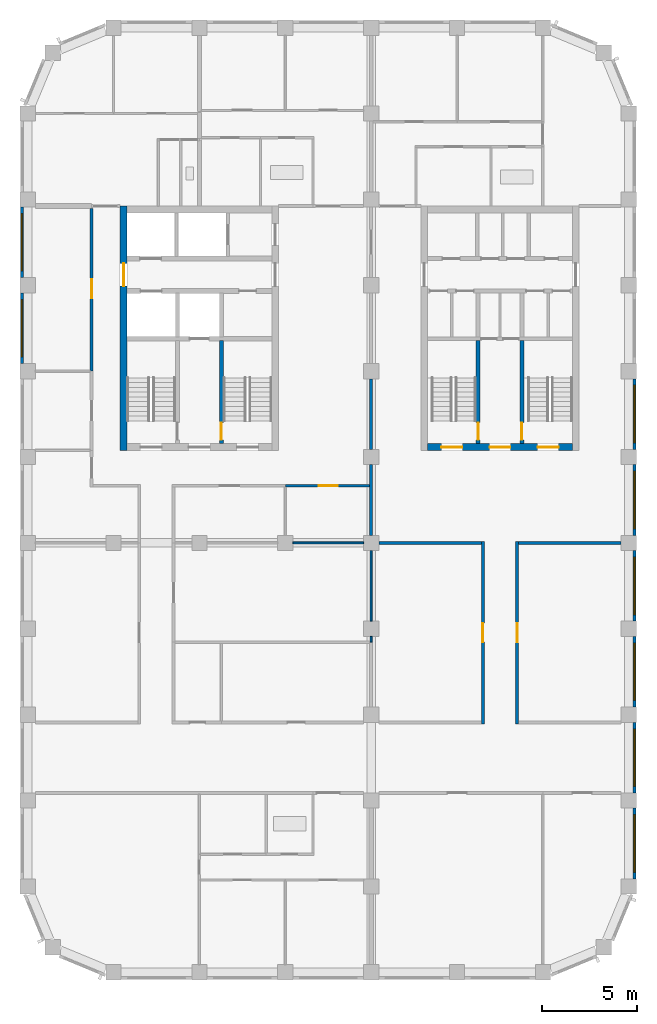
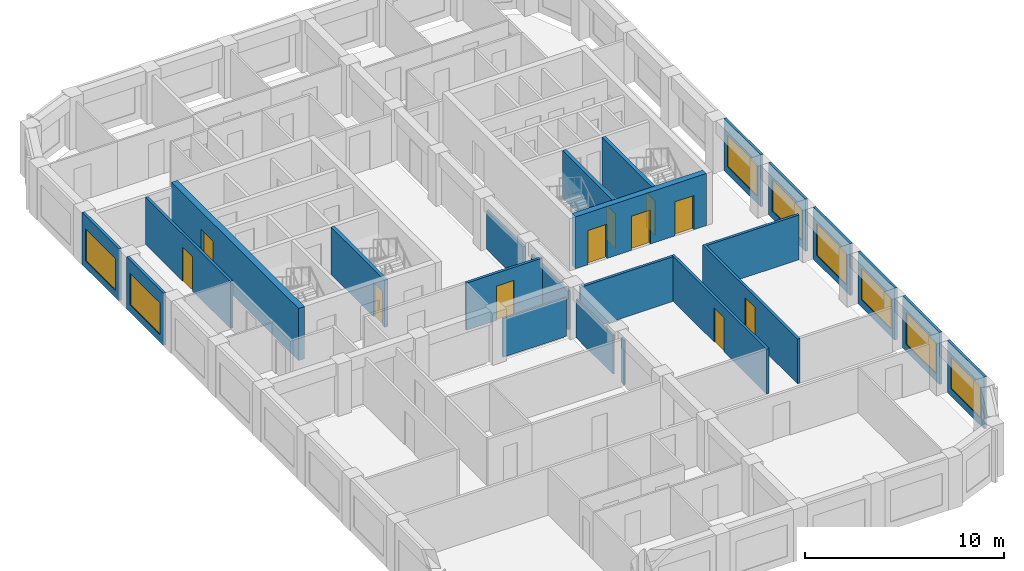
# One storey, part 4 of 10: 24 walls, 11 doors, 8 windows, 19 openings.
"""IFC4 building model written with IfcOpenShell, lengths in metres."""

from ifc_helpers import new_model, si_unit, direction, frame, frame_2d, origin, place, context, subcontext, project, spatial, rectangle, extrude, material, layer, layer_set, type_object, element, fill, save


model = new_model("IFC4")

# Units and contexts
model_context = context("Model", 3, precision=1e-05, world=origin(), true_north=direction((0.0, 1.0)))
body_context = subcontext(model_context, "Body", "Model", "MODEL_VIEW")
ifc_project = project(units=[si_unit("LENGTHUNIT", "METRE"), si_unit("AREAUNIT", "SQUARE_METRE"), si_unit("VOLUMEUNIT", "CUBIC_METRE"), si_unit("PLANEANGLEUNIT", "RADIAN"), si_unit("MASSUNIT", "GRAM", prefix="KILO")], contexts=[model_context])

# Site, building, storey
site_placement = place(None, origin())
site = spatial("IfcSite", under=ifc_project, at=site_placement, CompositionType="ELEMENT")
building_placement = place(site_placement, origin())
building = spatial("IfcBuilding", under=site, at=building_placement, Name="Girih Gate Residences", CompositionType="ELEMENT")
storey_placement = place(building_placement, frame((0.0, 0.0, 210.094970703125)))
storey = spatial("IfcBuildingStorey", under=building, at=storey_placement, Name="L58", CompositionType="ELEMENT", Elevation=210.094970703125)

# Walls
ifc_material_1 = material(Name="Gypsum board on steel studs", Category="steel")
ifc_layer_1 = layer(ifc_material_1, 0.14990234375)
ifc_layer_set_1 = layer_set([ifc_layer_1], Name="Compartment wall 150 mm")
wall_type_1 = type_object("IfcWallType", Name="Compartment wall 150 mm", PredefinedType="PARTITIONING", material=ifc_layer_set_1)
for number, where, z_axis, x_axis, name in (
    (1, (18.39990234375, 22.5, 0.0), (0.0, 0.0, 1.0), (1.0, 0.0, 0.0), "L58 partition"),
    (2, (25.72509765625, 22.5, 0.0), (0.0, 0.0, 1.0), (1.0, 0.0, 0.0), "L58 partition"),
):
    element("IfcWall", number, at=place(storey_placement, frame(where, z_axis=z_axis, x_axis=x_axis)), inside=storey, type_object=wall_type_1, Name=name, PredefinedType="PARTITIONING", context=body_context, shape_type="SweptSolid", body=[
        extrude(rectangle(XDim=5.375, YDim=0.14990234375, at=frame_2d((2.6875, 0.0))), origin(), (0.0, 0.0, 1.0), 2.75),
    ])
for number, where, z_axis, x_axis, name in (
    (3, (18.0, 27.39990234375, 0.0), (0.0, 0.0, 1.0), (0.0, 1.0, 0.0), "L58 partition"),
    (4, (18.0, 22.89990234375, 0.0), (0.0, 0.0, 1.0), (0.0, 1.0, 0.0), "L58 partition"),
):
    element("IfcWall", number, at=place(storey_placement, frame(where, z_axis=z_axis, x_axis=x_axis)), inside=storey, type_object=wall_type_1, Name=name, PredefinedType="PARTITIONING", context=body_context, shape_type="SweptSolid", body=[
        extrude(rectangle(XDim=3.7001953125, YDim=0.14990234375, at=frame_2d((1.85009765625, 0.0))), origin(), (0.0, 0.0, 1.0), 2.380126953125),
    ])

# Wall, opening, door
wall_1_placement = place(storey_placement, frame((23.85009765625, 13.02490234375, 0.0), z_axis=(0.0, 0.0, 1.0), x_axis=(0.0, 1.0, 0.0)))
wall_1 = element("IfcWall", 5, at=wall_1_placement, inside=storey, type_object=wall_type_1, Name="L58 partition", PredefinedType="PARTITIONING", context=body_context, shape_type="SweptSolid", body=[
    extrude(rectangle(XDim=9.550048828125, YDim=0.14990234375, at=frame_2d((4.77490234375, 0.0))), origin(), (0.0, 0.0, 1.0), 2.75),
])
opening_1_placement = place(wall_1_placement, frame((4.27490234375, 0.0, 0.0)))
opening_1 = element("IfcOpeningElement", 6, at=opening_1_placement, cuts=wall_1, Name="Opening A58-027", PredefinedType="OPENING", context=body_context, shape_type="SweptSolid", body=[
    extrude(rectangle(XDim=1.0, YDim=2.10009765625, at=frame_2d((0.5, 1.050048828125))), frame((0.0, 0.0849609375, 0.0), z_axis=(0.0, -1.0, 0.0), x_axis=(1.0, 0.0, 0.0)), (0.0, 0.0, 1.0), 0.169921875),
])
ifc_material_2 = material(Name="Timber, fire-rated core", Category="wood")
door_type_1 = type_object("IfcDoorType", Name="Amenity room door 1000x2100 FD30S", OperationType="NOTDEFINED", PredefinedType="DOOR", material=ifc_material_2)
door_1_placement = place(opening_1_placement, origin())
door_1 = element("IfcDoor", 7, at=door_1_placement, inside=storey, type_object=door_type_1, Name="Door A58-027", OperationType="SINGLE_SWING_RIGHT", OverallHeight=2.10009765625, OverallWidth=1.0, PredefinedType="DOOR", context=body_context, shape_type="SweptSolid", body=[
    extrude(rectangle(XDim=1.0, YDim=2.10009765625, at=frame_2d((0.5, 1.050048828125))), frame((0.0, 0.02490234375, 0.0), z_axis=(0.0, -1.0, 0.0), x_axis=(1.0, 0.0, 0.0)), (0.0, 0.0, 1.0), 0.050048828125),
])
fill(opening_1, door_1)

wall_2_placement = place(storey_placement, frame((25.64990234375, 22.574951171875, 0.0), z_axis=(0.0, 0.0, 1.0), x_axis=(0.0, -1.0, 0.0)))
wall_2 = element("IfcWall", 8, at=wall_2_placement, inside=storey, type_object=wall_type_1, Name="L58 partition", PredefinedType="PARTITIONING", context=body_context, shape_type="SweptSolid", body=[
    extrude(rectangle(XDim=9.550048828125, YDim=0.14990234375, at=frame_2d((4.77490234375, 0.0))), origin(), (0.0, 0.0, 1.0), 2.75),
])
opening_2_placement = place(wall_2_placement, frame((4.27490234375, 0.0, 0.0)))
opening_2 = element("IfcOpeningElement", 9, at=opening_2_placement, cuts=wall_2, Name="Opening A58-028", PredefinedType="OPENING", context=body_context, shape_type="SweptSolid", body=[
    extrude(rectangle(XDim=1.0, YDim=2.10009765625, at=frame_2d((0.5, 1.050048828125))), frame((0.0, 0.0849609375, 0.0), z_axis=(0.0, -1.0, 0.0), x_axis=(1.0, 0.0, 0.0)), (0.0, 0.0, 1.0), 0.169921875),
])
door_2_placement = place(opening_2_placement, origin())
door_2 = element("IfcDoor", 10, at=door_2_placement, inside=storey, type_object=door_type_1, Name="Door A58-028", OperationType="SINGLE_SWING_LEFT", OverallHeight=2.10009765625, OverallWidth=1.0, PredefinedType="DOOR", context=body_context, shape_type="SweptSolid", body=[
    extrude(rectangle(XDim=1.0, YDim=2.10009765625, at=frame_2d((0.5, 1.050048828125))), frame((0.0, 0.02490234375, 0.0), z_axis=(0.0, -1.0, 0.0), x_axis=(1.0, 0.0, 0.0)), (0.0, 0.0, 1.0), 0.050048828125),
])
fill(opening_2, door_2)

wall_3_placement = place(storey_placement, frame((17.925048828125, 25.5, 0.0), z_axis=(0.0, 0.0, 1.0), x_axis=(-1.0, 0.0, 0.0)))
wall_3 = element("IfcWall", 11, at=wall_3_placement, inside=storey, type_object=wall_type_1, Name="L58 partition", PredefinedType="PARTITIONING", context=body_context, shape_type="SweptSolid", body=[
    extrude(rectangle(XDim=4.425048828125, YDim=0.14990234375, at=frame_2d((2.21240234375, 0.0))), origin(), (0.0, 0.0, 1.0), 2.900146484375),
])
opening_3_placement = place(wall_3_placement, frame((1.675048828125, 0.0, 0.0)))
opening_3 = element("IfcOpeningElement", 12, at=opening_3_placement, cuts=wall_3, Name="Opening A58-033", PredefinedType="OPENING", context=body_context, shape_type="SweptSolid", body=[
    extrude(rectangle(XDim=1.0, YDim=2.10009765625, at=frame_2d((0.5, 1.050048828125))), frame((0.0, 0.0849609375, 0.0), z_axis=(0.0, -1.0, 0.0), x_axis=(1.0, 0.0, 0.0)), (0.0, 0.0, 1.0), 0.169921875),
])
door_3_placement = place(opening_3_placement, origin())
door_3 = element("IfcDoor", 13, at=door_3_placement, inside=storey, type_object=door_type_1, Name="Door A58-033", OperationType="SINGLE_SWING_LEFT", OverallHeight=2.10009765625, OverallWidth=1.0, PredefinedType="DOOR", context=body_context, shape_type="SweptSolid", body=[
    extrude(rectangle(XDim=1.0, YDim=2.10009765625, at=frame_2d((0.5, 1.050048828125))), frame((0.0, 0.02490234375, 0.0), z_axis=(0.0, -1.0, 0.0), x_axis=(1.0, 0.0, 0.0)), (0.0, 0.0, 1.0), 0.050048828125),
])
fill(opening_3, door_3)

wall_4_placement = place(storey_placement, frame((3.35009765625, 31.5, 0.0), z_axis=(0.0, 0.0, 1.0), x_axis=(0.0, 1.0, 0.0)))
wall_4 = element("IfcWall", 14, at=wall_4_placement, inside=storey, type_object=wall_type_1, Name="L58 partition", PredefinedType="PARTITIONING", context=body_context, shape_type="SweptSolid", body=[
    extrude(rectangle(XDim=8.52490234375, YDim=0.14990234375, at=frame_2d((4.262451171875, 0.0))), origin(), (0.0, 0.0, 1.0), 2.900146484375),
])
opening_4_placement = place(wall_4_placement, frame((3.824951171875, 0.0, 0.0)))
opening_4 = element("IfcOpeningElement", 15, at=opening_4_placement, cuts=wall_4, Name="Opening A58-035", PredefinedType="OPENING", context=body_context, shape_type="SweptSolid", body=[
    extrude(rectangle(XDim=1.0, YDim=2.10009765625, at=frame_2d((0.5, 1.050048828125))), frame((0.0, 0.0849609375, 0.0), z_axis=(0.0, -1.0, 0.0), x_axis=(1.0, 0.0, 0.0)), (0.0, 0.0, 1.0), 0.169921875),
])
door_4_placement = place(opening_4_placement, origin())
door_4 = element("IfcDoor", 16, at=door_4_placement, inside=storey, type_object=door_type_1, Name="Door A58-035", OperationType="SINGLE_SWING_RIGHT", OverallHeight=2.10009765625, OverallWidth=1.0, PredefinedType="DOOR", context=body_context, shape_type="SweptSolid", body=[
    extrude(rectangle(XDim=1.0, YDim=2.10009765625, at=frame_2d((0.5, 1.050048828125))), frame((0.0, 0.02490234375, 0.0), z_axis=(0.0, -1.0, 0.0), x_axis=(1.0, 0.0, 0.0)), (0.0, 0.0, 1.0), 0.050048828125),
])
fill(opening_4, door_4)

ifc_material_3 = material(Name="Concrete C60/75", Category="concrete")
ifc_layer_2 = layer(ifc_material_3, 0.35009765625)
ifc_layer_set_2 = layer_set([ifc_layer_2], Name="Core wall RC 350 Concrete C60/75")
wall_type_2 = type_object("IfcWallType", Name="Core wall RC 350 Concrete C60/75", PredefinedType="SOLIDWALL", material=ifc_layer_set_2)
wall_5_placement = place(storey_placement, frame((5.02490234375, 27.35009765625, 0.0), z_axis=(0.0, 0.0, 1.0), x_axis=(0.0, 1.0, 0.0)))
wall_5 = element("IfcWall", 17, at=wall_5_placement, inside=storey, type_object=wall_type_2, Name="Core wall W-W L58", PredefinedType="SOLIDWALL", context=body_context, shape_type="SweptSolid", body=[
    extrude(rectangle(XDim=12.7998046875, YDim=0.35009765625, at=frame_2d((6.39990234375, 0.0))), origin(), (0.0, 0.0, 1.0), 3.199951171875),
])
opening_5_placement = place(wall_5_placement, frame((8.60009765625, 0.0, 0.0)))
opening_5 = element("IfcOpeningElement", 18, at=opening_5_placement, cuts=wall_5, Name="Opening D-L58-W-012", PredefinedType="OPENING", context=body_context, shape_type="SweptSolid", body=[
    extrude(rectangle(XDim=1.199951171875, YDim=2.10009765625, at=frame_2d((0.60009765625, 1.050048828125))), frame((0.0, 0.18505859375, 0.0), z_axis=(0.0, -1.0, 0.0), x_axis=(1.0, 0.0, 0.0)), (0.0, 0.0, 1.0), 0.3701171875),
])
ifc_material_4 = material(Name="Painted steel, fire-resisting", Category="steel")
door_type_2 = type_object("IfcDoorType", Name="Fire door 1200x2100", OperationType="SINGLE_SWING_LEFT", PredefinedType="DOOR", material=ifc_material_4)
door_5_placement = place(opening_5_placement, origin())
door_5 = element("IfcDoor", 19, at=door_5_placement, inside=storey, type_object=door_type_2, Name="L58 W core door ll-w", OperationType="SINGLE_SWING_LEFT", OverallHeight=2.10009765625, OverallWidth=1.199951171875, PredefinedType="DOOR", context=body_context, shape_type="SweptSolid", body=[
    extrude(rectangle(XDim=1.199951171875, YDim=2.10009765625, at=frame_2d((0.60009765625, 1.050048828125))), frame((0.0, 0.02490234375, 0.0), z_axis=(0.0, -1.0, 0.0), x_axis=(1.0, 0.0, 0.0)), (0.0, 0.0, 1.0), 0.050048828125),
])
fill(opening_5, door_5)

# Walls
ifc_layer_3 = layer(ifc_material_1, 0.10009765625)
ifc_layer_set_3 = layer_set([ifc_layer_3], Name="Partition 100 mm")
wall_type_3 = type_object("IfcWallType", Name="Partition 100 mm", PredefinedType="PARTITIONING", material=ifc_layer_set_3)
wall_6_placement = place(storey_placement, frame((18.0, 18.39990234375, 0.0), z_axis=(0.0, 0.0, 1.0), x_axis=(0.0, 1.0, 0.0)))
element("IfcWall", 20, at=wall_6_placement, inside=storey, type_object=wall_type_3, Name="L58 partition", PredefinedType="PARTITIONING", context=body_context, shape_type="SweptSolid", body=[
    extrude(rectangle(XDim=3.7001953125, YDim=0.10009765625, at=frame_2d((1.85009765625, 0.0))), origin(), (0.0, 0.0, 1.0), 2.380126953125),
])
wall_7_placement = place(storey_placement, frame((18.0, 17.300048828125, 0.0), z_axis=(0.0, 0.0, 1.0), x_axis=(0.0, 1.0, 0.0)))
element("IfcWall", 21, at=wall_7_placement, inside=storey, type_object=wall_type_3, Name="L58 partition", PredefinedType="PARTITIONING", context=body_context, shape_type="SweptSolid", body=[
    extrude(rectangle(XDim=0.300048828125, YDim=0.10009765625, at=frame_2d((0.14990234375, 0.0))), origin(), (0.0, 0.0, 1.0), 2.75),
])
wall_8_placement = place(storey_placement, frame((13.89990234375, 22.5, 0.0), z_axis=(0.0, 0.0, 1.0), x_axis=(1.0, 0.0, 0.0)))
element("IfcWall", 22, at=wall_8_placement, inside=storey, type_object=wall_type_3, Name="L58 partition", PredefinedType="PARTITIONING", context=body_context, shape_type="SweptSolid", body=[
    extrude(rectangle(XDim=3.7001953125, YDim=0.10009765625, at=frame_2d((1.85009765625, 0.0))), origin(), (0.0, 0.0, 1.0), 2.380126953125),
])

# Wall, opening, window
ifc_material_5 = material(Name="Precast concrete C50/60", Category="concrete")
ifc_layer_4 = layer(ifc_material_5, 0.050048828125, Name="Outer leaf")
ifc_material_6 = material(Name="Rigid PIR insulation")
ifc_layer_5 = layer(ifc_material_6, 0.06005859375, Name="Insulation")
ifc_material_7 = material(Name="Precast concrete C40/50", Category="concrete")
ifc_layer_6 = layer(ifc_material_7, 0.0400390625, Name="Inner leaf")
ifc_layer_set_4 = layer_set([ifc_layer_4, ifc_layer_5, ifc_layer_6], Name="Precast concrete C50/60 external wall 150")
wall_type_4 = type_object("IfcWallType", Name="Precast concrete C50/60 external wall 150", PredefinedType="SOLIDWALL", material=ifc_layer_set_4)
wall_9_placement = place(storey_placement, frame((31.800048828125, 8.60009765625, 0.0), z_axis=(0.0, 0.0, 1.0), x_axis=(0.0, -1.0, 0.0)))
wall_9 = element("IfcWall", 23, at=wall_9_placement, inside=storey, type_object=wall_type_4, Name="External wall E0315_0045.0", PredefinedType="SOLIDWALL", context=body_context, shape_type="SweptSolid", body=[
    extrude(rectangle(XDim=3.7001953125, YDim=0.14990234375, at=frame_2d((1.85009765625, 0.0))), origin(), (0.0, 0.0, 1.0), 3.199951171875),
])
opening_6_placement = place(wall_9_placement, frame((0.35009765625, 0.0, 0.449951171875)))
opening_6 = element("IfcOpeningElement", 24, at=opening_6_placement, cuts=wall_9, Name="Opening W-1D", PredefinedType="OPENING", context=body_context, shape_type="SweptSolid", body=[
    extrude(rectangle(XDim=3.0, YDim=1.949951171875, at=frame_2d((1.5, 0.97509765625))), frame((0.0, 0.0849609375, 0.0), z_axis=(0.0, -1.0, 0.0), x_axis=(1.0, 0.0, 0.0)), (0.0, 0.0, 1.0), 0.169921875),
])
ifc_material_8 = material(Name="Double glazing in aluminium frame", Category="aluminium")
window_type = type_object("IfcWindowType", Name="Window W-1D 3000x1950", PartitioningType="SINGLE_PANEL", PredefinedType="WINDOW", material=ifc_material_8)
window_1_placement = place(opening_6_placement, origin())
window_1 = element("IfcWindow", 25, at=window_1_placement, inside=storey, type_object=window_type, Name="Window W-1D E0315_0045.0", OverallHeight=1.949951171875, OverallWidth=3.0, PartitioningType="SINGLE_PANEL", PredefinedType="WINDOW", context=body_context, shape_type="SweptSolid", body=[
    extrude(rectangle(XDim=3.0, YDim=1.949951171875, at=frame_2d((1.5, 0.97509765625))), frame((0.0, 0.030029296875, 0.0), z_axis=(0.0, -1.0, 0.0), x_axis=(1.0, 0.0, 0.0)), (0.0, 0.0, 1.0), 0.06005859375),
])
fill(opening_6, window_1)

wall_10_placement = place(storey_placement, frame((31.800048828125, 13.10009765625, 0.0), z_axis=(0.0, 0.0, 1.0), x_axis=(0.0, -1.0, 0.0)))
wall_10 = element("IfcWall", 26, at=wall_10_placement, inside=storey, type_object=wall_type_4, Name="External wall E0315_0045.1", PredefinedType="SOLIDWALL", context=body_context, shape_type="SweptSolid", body=[
    extrude(rectangle(XDim=3.7001953125, YDim=0.14990234375, at=frame_2d((1.85009765625, 0.0))), origin(), (0.0, 0.0, 1.0), 3.199951171875),
])
opening_7_placement = place(wall_10_placement, frame((0.35009765625, 0.0, 0.449951171875)))
opening_7 = element("IfcOpeningElement", 27, at=opening_7_placement, cuts=wall_10, Name="Opening W-1D", PredefinedType="OPENING", context=body_context, shape_type="SweptSolid", body=[
    extrude(rectangle(XDim=3.0, YDim=1.949951171875, at=frame_2d((1.5, 0.97509765625))), frame((0.0, 0.0849609375, 0.0), z_axis=(0.0, -1.0, 0.0), x_axis=(1.0, 0.0, 0.0)), (0.0, 0.0, 1.0), 0.169921875),
])
window_2_placement = place(opening_7_placement, origin())
window_2 = element("IfcWindow", 28, at=window_2_placement, inside=storey, type_object=window_type, Name="Window W-1D E0315_0045.1", OverallHeight=1.949951171875, OverallWidth=3.0, PartitioningType="SINGLE_PANEL", PredefinedType="WINDOW", context=body_context, shape_type="SweptSolid", body=[
    extrude(rectangle(XDim=3.0, YDim=1.949951171875, at=frame_2d((1.5, 0.97509765625))), frame((0.0, 0.030029296875, 0.0), z_axis=(0.0, -1.0, 0.0), x_axis=(1.0, 0.0, 0.0)), (0.0, 0.0, 1.0), 0.06005859375),
])
fill(opening_7, window_2)

wall_11_placement = place(storey_placement, frame((31.800048828125, 17.60009765625, 0.0), z_axis=(0.0, 0.0, 1.0), x_axis=(0.0, -1.0, 0.0)))
wall_11 = element("IfcWall", 29, at=wall_11_placement, inside=storey, type_object=wall_type_4, Name="External wall E0315_0045.2", PredefinedType="SOLIDWALL", context=body_context, shape_type="SweptSolid", body=[
    extrude(rectangle(XDim=3.7001953125, YDim=0.14990234375, at=frame_2d((1.85009765625, 0.0))), origin(), (0.0, 0.0, 1.0), 3.199951171875),
])
opening_8_placement = place(wall_11_placement, frame((0.35009765625, 0.0, 0.449951171875)))
opening_8 = element("IfcOpeningElement", 30, at=opening_8_placement, cuts=wall_11, Name="Opening W-1D", PredefinedType="OPENING", context=body_context, shape_type="SweptSolid", body=[
    extrude(rectangle(XDim=3.0, YDim=1.949951171875, at=frame_2d((1.5, 0.97509765625))), frame((0.0, 0.0849609375, 0.0), z_axis=(0.0, -1.0, 0.0), x_axis=(1.0, 0.0, 0.0)), (0.0, 0.0, 1.0), 0.169921875),
])
window_3_placement = place(opening_8_placement, origin())
window_3 = element("IfcWindow", 31, at=window_3_placement, inside=storey, type_object=window_type, Name="Window W-1D E0315_0045.2", OverallHeight=1.949951171875, OverallWidth=3.0, PartitioningType="SINGLE_PANEL", PredefinedType="WINDOW", context=body_context, shape_type="SweptSolid", body=[
    extrude(rectangle(XDim=3.0, YDim=1.949951171875, at=frame_2d((1.5, 0.97509765625))), frame((0.0, 0.030029296875, 0.0), z_axis=(0.0, -1.0, 0.0), x_axis=(1.0, 0.0, 0.0)), (0.0, 0.0, 1.0), 0.06005859375),
])
fill(opening_8, window_3)

wall_12_placement = place(storey_placement, frame((31.800048828125, 22.10009765625, 0.0), z_axis=(0.0, 0.0, 1.0), x_axis=(0.0, -1.0, 0.0)))
wall_12 = element("IfcWall", 32, at=wall_12_placement, inside=storey, type_object=wall_type_4, Name="External wall E0315_0045.3", PredefinedType="SOLIDWALL", context=body_context, shape_type="SweptSolid", body=[
    extrude(rectangle(XDim=3.7001953125, YDim=0.14990234375, at=frame_2d((1.85009765625, 0.0))), origin(), (0.0, 0.0, 1.0), 3.199951171875),
])
opening_9_placement = place(wall_12_placement, frame((0.35009765625, 0.0, 0.449951171875)))
opening_9 = element("IfcOpeningElement", 33, at=opening_9_placement, cuts=wall_12, Name="Opening W-1D", PredefinedType="OPENING", context=body_context, shape_type="SweptSolid", body=[
    extrude(rectangle(XDim=3.0, YDim=1.949951171875, at=frame_2d((1.5, 0.97509765625))), frame((0.0, 0.0849609375, 0.0), z_axis=(0.0, -1.0, 0.0), x_axis=(1.0, 0.0, 0.0)), (0.0, 0.0, 1.0), 0.169921875),
])
window_4_placement = place(opening_9_placement, origin())
window_4 = element("IfcWindow", 34, at=window_4_placement, inside=storey, type_object=window_type, Name="Window W-1D E0315_0045.3", OverallHeight=1.949951171875, OverallWidth=3.0, PartitioningType="SINGLE_PANEL", PredefinedType="WINDOW", context=body_context, shape_type="SweptSolid", body=[
    extrude(rectangle(XDim=3.0, YDim=1.949951171875, at=frame_2d((1.5, 0.97509765625))), frame((0.0, 0.030029296875, 0.0), z_axis=(0.0, -1.0, 0.0), x_axis=(1.0, 0.0, 0.0)), (0.0, 0.0, 1.0), 0.06005859375),
])
fill(opening_9, window_4)

wall_13_placement = place(storey_placement, frame((31.800048828125, 26.60009765625, 0.0), z_axis=(0.0, 0.0, 1.0), x_axis=(0.0, -1.0, 0.0)))
wall_13 = element("IfcWall", 35, at=wall_13_placement, inside=storey, type_object=wall_type_4, Name="External wall E0315_0045.4", PredefinedType="SOLIDWALL", context=body_context, shape_type="SweptSolid", body=[
    extrude(rectangle(XDim=3.7001953125, YDim=0.14990234375, at=frame_2d((1.85009765625, 0.0))), origin(), (0.0, 0.0, 1.0), 3.199951171875),
])
opening_10_placement = place(wall_13_placement, frame((0.35009765625, 0.0, 0.449951171875)))
opening_10 = element("IfcOpeningElement", 36, at=opening_10_placement, cuts=wall_13, Name="Opening W-1D", PredefinedType="OPENING", context=body_context, shape_type="SweptSolid", body=[
    extrude(rectangle(XDim=3.0, YDim=1.949951171875, at=frame_2d((1.5, 0.97509765625))), frame((0.0, 0.0849609375, 0.0), z_axis=(0.0, -1.0, 0.0), x_axis=(1.0, 0.0, 0.0)), (0.0, 0.0, 1.0), 0.169921875),
])
window_5_placement = place(opening_10_placement, origin())
window_5 = element("IfcWindow", 37, at=window_5_placement, inside=storey, type_object=window_type, Name="Window W-1D E0315_0045.4", OverallHeight=1.949951171875, OverallWidth=3.0, PartitioningType="SINGLE_PANEL", PredefinedType="WINDOW", context=body_context, shape_type="SweptSolid", body=[
    extrude(rectangle(XDim=3.0, YDim=1.949951171875, at=frame_2d((1.5, 0.97509765625))), frame((0.0, 0.030029296875, 0.0), z_axis=(0.0, -1.0, 0.0), x_axis=(1.0, 0.0, 0.0)), (0.0, 0.0, 1.0), 0.06005859375),
])
fill(opening_10, window_5)

wall_14_placement = place(storey_placement, frame((31.800048828125, 31.10009765625, 0.0), z_axis=(0.0, 0.0, 1.0), x_axis=(0.0, -1.0, 0.0)))
wall_14 = element("IfcWall", 38, at=wall_14_placement, inside=storey, type_object=wall_type_4, Name="External wall E0315_0045.5", PredefinedType="SOLIDWALL", context=body_context, shape_type="SweptSolid", body=[
    extrude(rectangle(XDim=3.7001953125, YDim=0.14990234375, at=frame_2d((1.85009765625, 0.0))), origin(), (0.0, 0.0, 1.0), 3.199951171875),
])
opening_11_placement = place(wall_14_placement, frame((0.35009765625, 0.0, 0.449951171875)))
opening_11 = element("IfcOpeningElement", 39, at=opening_11_placement, cuts=wall_14, Name="Opening W-1D", PredefinedType="OPENING", context=body_context, shape_type="SweptSolid", body=[
    extrude(rectangle(XDim=3.0, YDim=1.949951171875, at=frame_2d((1.5, 0.97509765625))), frame((0.0, 0.0849609375, 0.0), z_axis=(0.0, -1.0, 0.0), x_axis=(1.0, 0.0, 0.0)), (0.0, 0.0, 1.0), 0.169921875),
])
window_6_placement = place(opening_11_placement, origin())
window_6 = element("IfcWindow", 40, at=window_6_placement, inside=storey, type_object=window_type, Name="Window W-1D E0315_0045.5", OverallHeight=1.949951171875, OverallWidth=3.0, PartitioningType="SINGLE_PANEL", PredefinedType="WINDOW", context=body_context, shape_type="SweptSolid", body=[
    extrude(rectangle(XDim=3.0, YDim=1.949951171875, at=frame_2d((1.5, 0.97509765625))), frame((0.0, 0.030029296875, 0.0), z_axis=(0.0, -1.0, 0.0), x_axis=(1.0, 0.0, 0.0)), (0.0, 0.0, 1.0), 0.06005859375),
])
fill(opening_11, window_6)

wall_15_placement = place(storey_placement, frame((-0.300048828125, 36.39990234375, 0.0), z_axis=(0.0, 0.0, 1.0), x_axis=(0.0, 1.0, 0.0)))
wall_15 = element("IfcWall", 41, at=wall_15_placement, inside=storey, type_object=wall_type_4, Name="External wall W0000_0450.1", PredefinedType="SOLIDWALL", context=body_context, shape_type="SweptSolid", body=[
    extrude(rectangle(XDim=3.7001953125, YDim=0.14990234375, at=frame_2d((1.85009765625, 0.0))), origin(), (0.0, 0.0, 1.0), 3.199951171875),
])
opening_12_placement = place(wall_15_placement, frame((0.35009765625, 0.0, 0.449951171875)))
opening_12 = element("IfcOpeningElement", 42, at=opening_12_placement, cuts=wall_15, Name="Opening W-1D", PredefinedType="OPENING", context=body_context, shape_type="SweptSolid", body=[
    extrude(rectangle(XDim=3.0, YDim=1.949951171875, at=frame_2d((1.5, 0.97509765625))), frame((0.0, 0.0849609375, 0.0), z_axis=(0.0, -1.0, 0.0), x_axis=(1.0, 0.0, 0.0)), (0.0, 0.0, 1.0), 0.169921875),
])
window_7_placement = place(opening_12_placement, origin())
window_7 = element("IfcWindow", 43, at=window_7_placement, inside=storey, type_object=window_type, Name="Window W-1D W0000_0450.1", OverallHeight=1.949951171875, OverallWidth=3.0, PartitioningType="SINGLE_PANEL", PredefinedType="WINDOW", context=body_context, shape_type="SweptSolid", body=[
    extrude(rectangle(XDim=3.0, YDim=1.949951171875, at=frame_2d((1.5, 0.97509765625))), frame((0.0, 0.030029296875, 0.0), z_axis=(0.0, -1.0, 0.0), x_axis=(1.0, 0.0, 0.0)), (0.0, 0.0, 1.0), 0.06005859375),
])
fill(opening_12, window_7)

wall_16_placement = place(storey_placement, frame((-0.300048828125, 31.89990234375, 0.0), z_axis=(0.0, 0.0, 1.0), x_axis=(0.0, 1.0, 0.0)))
wall_16 = element("IfcWall", 44, at=wall_16_placement, inside=storey, type_object=wall_type_4, Name="External wall W0000_0450.2", PredefinedType="SOLIDWALL", context=body_context, shape_type="SweptSolid", body=[
    extrude(rectangle(XDim=3.7001953125, YDim=0.14990234375, at=frame_2d((1.85009765625, 0.0))), origin(), (0.0, 0.0, 1.0), 3.199951171875),
])
opening_13_placement = place(wall_16_placement, frame((0.35009765625, 0.0, 0.449951171875)))
opening_13 = element("IfcOpeningElement", 45, at=opening_13_placement, cuts=wall_16, Name="Opening W-1D", PredefinedType="OPENING", context=body_context, shape_type="SweptSolid", body=[
    extrude(rectangle(XDim=3.0, YDim=1.949951171875, at=frame_2d((1.5, 0.97509765625))), frame((0.0, 0.0849609375, 0.0), z_axis=(0.0, -1.0, 0.0), x_axis=(1.0, 0.0, 0.0)), (0.0, 0.0, 1.0), 0.169921875),
])
window_8_placement = place(opening_13_placement, origin())
window_8 = element("IfcWindow", 46, at=window_8_placement, inside=storey, type_object=window_type, Name="Window W-1D W0000_0450.2", OverallHeight=1.949951171875, OverallWidth=3.0, PartitioningType="SINGLE_PANEL", PredefinedType="WINDOW", context=body_context, shape_type="SweptSolid", body=[
    extrude(rectangle(XDim=3.0, YDim=1.949951171875, at=frame_2d((1.5, 0.97509765625))), frame((0.0, 0.030029296875, 0.0), z_axis=(0.0, -1.0, 0.0), x_axis=(1.0, 0.0, 0.0)), (0.0, 0.0, 1.0), 0.06005859375),
])
fill(opening_13, window_8)

# Wall, opening, door
ifc_material_9 = material(Name="Concrete C40/50", Category="concrete")
ifc_layer_7 = layer(ifc_material_9, 0.199951171875)
ifc_layer_set_5 = layer_set([ifc_layer_7], Name="Shaft wall 200")
wall_type_5 = type_object("IfcWallType", Name="Shaft wall 200", PredefinedType="SOLIDWALL", material=ifc_layer_set_5)
wall_17_placement = place(storey_placement, frame((10.14990234375, 27.699951171875, 0.0), z_axis=(0.0, 0.0, 1.0), x_axis=(0.0, 1.0, 0.0)))
wall_17 = element("IfcWall", 47, at=wall_17_placement, inside=storey, type_object=wall_type_5, Name="L58 W core wall V2a", PredefinedType="SOLIDWALL", context=body_context, shape_type="SweptSolid", body=[
    extrude(rectangle(XDim=5.400146484375, YDim=0.199951171875, at=frame_2d((2.7001953125, 0.0))), origin(), (0.0, 0.0, 1.0), 2.900146484375),
])
opening_14_placement = place(wall_17_placement, frame((0.199951171875, 0.0, 0.0)))
opening_14 = element("IfcOpeningElement", 48, at=opening_14_placement, cuts=wall_17, Name="Opening D-L58-W-002", PredefinedType="OPENING", context=body_context, shape_type="SweptSolid", body=[
    extrude(rectangle(XDim=0.89990234375, YDim=2.10009765625, at=frame_2d((0.449951171875, 1.050048828125))), frame((0.0, 0.10986328125, 0.0), z_axis=(0.0, -1.0, 0.0), x_axis=(1.0, 0.0, 0.0)), (0.0, 0.0, 1.0), 0.219970703125),
])
door_type_3 = type_object("IfcDoorType", Name="Fire door 900x2100", OperationType="SINGLE_SWING_LEFT", PredefinedType="DOOR", material=ifc_material_4)
door_6_placement = place(opening_14_placement, origin())
door_6 = element("IfcDoor", 49, at=door_6_placement, inside=storey, type_object=door_type_3, Name="L58 W door stair 2 to firefighting lobby", OperationType="SINGLE_SWING_LEFT", OverallHeight=2.10009765625, OverallWidth=0.89990234375, PredefinedType="DOOR", context=body_context, shape_type="SweptSolid", body=[
    extrude(rectangle(XDim=0.89990234375, YDim=2.10009765625, at=frame_2d((0.449951171875, 1.050048828125))), frame((0.0, 0.02490234375, 0.0), z_axis=(0.0, -1.0, 0.0), x_axis=(1.0, 0.0, 0.0)), (0.0, 0.0, 1.0), 0.050048828125),
])
fill(opening_14, door_6)

wall_18_placement = place(storey_placement, frame((23.60009765625, 27.699951171875, 0.0), z_axis=(0.0, 0.0, 1.0), x_axis=(0.0, 1.0, 0.0)))
wall_18 = element("IfcWall", 50, at=wall_18_placement, inside=storey, type_object=wall_type_5, Name="L58 C core wall V1a", PredefinedType="SOLIDWALL", context=body_context, shape_type="SweptSolid", body=[
    extrude(rectangle(XDim=5.400146484375, YDim=0.199951171875, at=frame_2d((2.7001953125, 0.0))), origin(), (0.0, 0.0, 1.0), 2.900146484375),
])
opening_15_placement = place(wall_18_placement, frame((0.199951171875, 0.0, 0.0)))
opening_15 = element("IfcOpeningElement", 51, at=opening_15_placement, cuts=wall_18, Name="Opening D-L58-C-001", PredefinedType="OPENING", context=body_context, shape_type="SweptSolid", body=[
    extrude(rectangle(XDim=0.89990234375, YDim=2.10009765625, at=frame_2d((0.449951171875, 1.050048828125))), frame((0.0, 0.10986328125, 0.0), z_axis=(0.0, -1.0, 0.0), x_axis=(1.0, 0.0, 0.0)), (0.0, 0.0, 1.0), 0.219970703125),
])
door_7_placement = place(opening_15_placement, origin())
door_7 = element("IfcDoor", 52, at=door_7_placement, inside=storey, type_object=door_type_3, Name="L58 C door stair 1 to stair lobby", OperationType="SINGLE_SWING_LEFT", OverallHeight=2.10009765625, OverallWidth=0.89990234375, PredefinedType="DOOR", context=body_context, shape_type="SweptSolid", body=[
    extrude(rectangle(XDim=0.89990234375, YDim=2.10009765625, at=frame_2d((0.449951171875, 1.050048828125))), frame((0.0, 0.02490234375, 0.0), z_axis=(0.0, -1.0, 0.0), x_axis=(1.0, 0.0, 0.0)), (0.0, 0.0, 1.0), 0.050048828125),
])
fill(opening_15, door_7)

wall_19_placement = place(storey_placement, frame((25.89990234375, 27.699951171875, 0.0), z_axis=(0.0, 0.0, 1.0), x_axis=(0.0, 1.0, 0.0)))
wall_19 = element("IfcWall", 53, at=wall_19_placement, inside=storey, type_object=wall_type_5, Name="L58 C core wall V2a", PredefinedType="SOLIDWALL", context=body_context, shape_type="SweptSolid", body=[
    extrude(rectangle(XDim=5.400146484375, YDim=0.199951171875, at=frame_2d((2.7001953125, 0.0))), origin(), (0.0, 0.0, 1.0), 2.900146484375),
])
opening_16_placement = place(wall_19_placement, frame((0.199951171875, 0.0, 0.0)))
opening_16 = element("IfcOpeningElement", 54, at=opening_16_placement, cuts=wall_19, Name="Opening D-L58-C-002", PredefinedType="OPENING", context=body_context, shape_type="SweptSolid", body=[
    extrude(rectangle(XDim=0.89990234375, YDim=2.10009765625, at=frame_2d((0.449951171875, 1.050048828125))), frame((0.0, 0.10986328125, 0.0), z_axis=(0.0, -1.0, 0.0), x_axis=(1.0, 0.0, 0.0)), (0.0, 0.0, 1.0), 0.219970703125),
])
door_8_placement = place(opening_16_placement, origin())
door_8 = element("IfcDoor", 55, at=door_8_placement, inside=storey, type_object=door_type_3, Name="L58 C door stair 2 to stair lobby", OperationType="SINGLE_SWING_LEFT", OverallHeight=2.10009765625, OverallWidth=0.89990234375, PredefinedType="DOOR", context=body_context, shape_type="SweptSolid", body=[
    extrude(rectangle(XDim=0.89990234375, YDim=2.10009765625, at=frame_2d((0.449951171875, 1.050048828125))), frame((0.0, 0.02490234375, 0.0), z_axis=(0.0, -1.0, 0.0), x_axis=(1.0, 0.0, 0.0)), (0.0, 0.0, 1.0), 0.050048828125),
])
fill(opening_16, door_8)

# Wall, openings, doors
ifc_layer_8 = layer(ifc_material_9, 0.35009765625)
ifc_layer_set_6 = layer_set([ifc_layer_8], Name="Stair core wall RC 350 Concrete C40/50")
wall_type_6 = type_object("IfcWallType", Name="Stair core wall RC 350 Concrete C40/50", PredefinedType="SOLIDWALL", material=ifc_layer_set_6)
wall_20_placement = place(storey_placement, frame((20.949951171875, 27.52490234375, 0.0), z_axis=(0.0, 0.0, 1.0), x_axis=(1.0, 0.0, 0.0)))
wall_20 = element("IfcWall", 56, at=wall_20_placement, inside=storey, type_object=wall_type_6, Name="Stair core wall C-S L58", PredefinedType="SOLIDWALL", context=body_context, shape_type="SweptSolid", body=[
    extrude(rectangle(XDim=7.60009765625, YDim=0.35009765625, at=frame_2d((3.800048828125, 0.0))), origin(), (0.0, 0.0, 1.0), 3.199951171875),
])
opening_17_placement = place(wall_20_placement, frame((0.72509765625, 0.0, 0.0)))
opening_17 = element("IfcOpeningElement", 57, at=opening_17_placement, cuts=wall_20, Name="Opening D-L58-C-013", PredefinedType="OPENING", context=body_context, shape_type="SweptSolid", body=[
    extrude(rectangle(XDim=1.10009765625, YDim=2.10009765625, at=frame_2d((0.550048828125, 1.050048828125))), frame((0.0, 0.18505859375, 0.0), z_axis=(0.0, -1.0, 0.0), x_axis=(1.0, 0.0, 0.0)), (0.0, 0.0, 1.0), 0.3701171875),
])
opening_18_placement = place(wall_20_placement, frame((3.25, 0.0, 0.0)))
opening_18 = element("IfcOpeningElement", 58, at=opening_18_placement, cuts=wall_20, Name="Opening D-L58-C-014", PredefinedType="OPENING", context=body_context, shape_type="SweptSolid", body=[
    extrude(rectangle(XDim=1.10009765625, YDim=2.10009765625, at=frame_2d((0.550048828125, 1.050048828125))), frame((0.0, 0.18505859375, 0.0), z_axis=(0.0, -1.0, 0.0), x_axis=(1.0, 0.0, 0.0)), (0.0, 0.0, 1.0), 0.3701171875),
])
opening_19_placement = place(wall_20_placement, frame((5.77490234375, 0.0, 0.0)))
opening_19 = element("IfcOpeningElement", 59, at=opening_19_placement, cuts=wall_20, Name="Opening D-L58-C-015", PredefinedType="OPENING", context=body_context, shape_type="SweptSolid", body=[
    extrude(rectangle(XDim=1.10009765625, YDim=2.10009765625, at=frame_2d((0.550048828125, 1.050048828125))), frame((0.0, 0.18505859375, 0.0), z_axis=(0.0, -1.0, 0.0), x_axis=(1.0, 0.0, 0.0)), (0.0, 0.0, 1.0), 0.3701171875),
])
door_type_4 = type_object("IfcDoorType", Name="Fire door 1100x2100", OperationType="SINGLE_SWING_LEFT", PredefinedType="DOOR", material=ifc_material_4)
door_9_placement = place(opening_17_placement, origin())
door_9 = element("IfcDoor", 60, at=door_9_placement, inside=storey, type_object=door_type_4, Name="L58 C core door sta-out", OperationType="SINGLE_SWING_LEFT", OverallHeight=2.10009765625, OverallWidth=1.10009765625, PredefinedType="DOOR", context=body_context, shape_type="SweptSolid", body=[
    extrude(rectangle(XDim=1.10009765625, YDim=2.10009765625, at=frame_2d((0.550048828125, 1.050048828125))), frame((0.0, 0.02490234375, 0.0), z_axis=(0.0, -1.0, 0.0), x_axis=(1.0, 0.0, 0.0)), (0.0, 0.0, 1.0), 0.050048828125),
])
fill(opening_17, door_9)
door_10_placement = place(opening_18_placement, origin())
door_10 = element("IfcDoor", 61, at=door_10_placement, inside=storey, type_object=door_type_4, Name="L58 C core door ffl-out", OperationType="SINGLE_SWING_LEFT", OverallHeight=2.10009765625, OverallWidth=1.10009765625, PredefinedType="DOOR", context=body_context, shape_type="SweptSolid", body=[
    extrude(rectangle(XDim=1.10009765625, YDim=2.10009765625, at=frame_2d((0.550048828125, 1.050048828125))), frame((0.0, 0.02490234375, 0.0), z_axis=(0.0, -1.0, 0.0), x_axis=(1.0, 0.0, 0.0)), (0.0, 0.0, 1.0), 0.050048828125),
])
fill(opening_18, door_10)
door_11_placement = place(opening_19_placement, origin())
door_11 = element("IfcDoor", 62, at=door_11_placement, inside=storey, type_object=door_type_4, Name="L58 C core door stb-out", OperationType="SINGLE_SWING_LEFT", OverallHeight=2.10009765625, OverallWidth=1.10009765625, PredefinedType="DOOR", context=body_context, shape_type="SweptSolid", body=[
    extrude(rectangle(XDim=1.10009765625, YDim=2.10009765625, at=frame_2d((0.550048828125, 1.050048828125))), frame((0.0, 0.02490234375, 0.0), z_axis=(0.0, -1.0, 0.0), x_axis=(1.0, 0.0, 0.0)), (0.0, 0.0, 1.0), 0.050048828125),
])
fill(opening_19, door_11)

save(model, "model.ifc")
